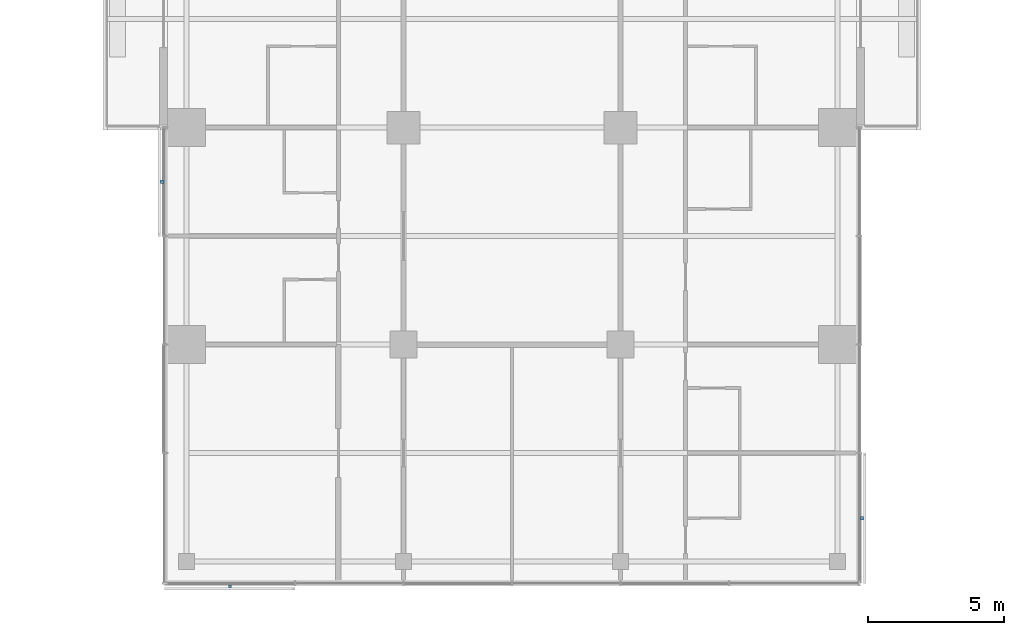
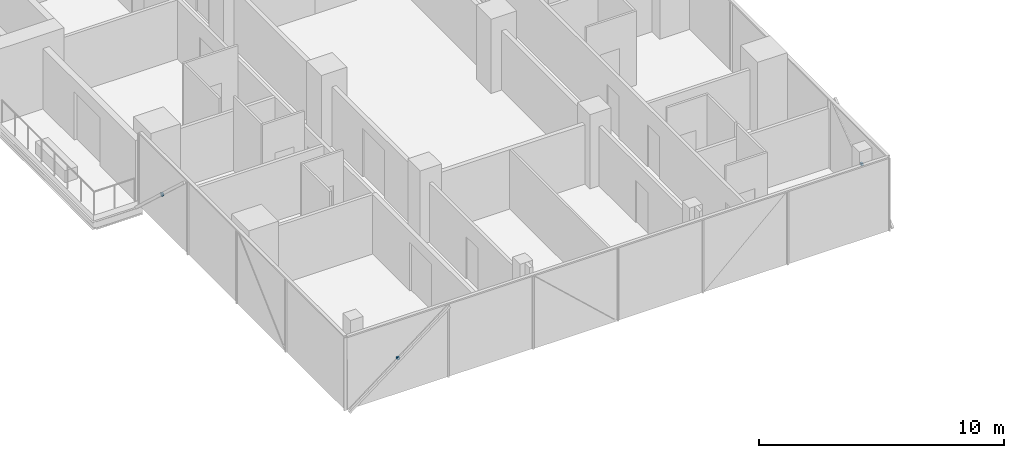
# One storey, part 23 of 27: 3 discrete accessories.
"""IFC4 building model written with IfcOpenShell, lengths in metres."""

from ifc_helpers import new_model, si_unit, direction, frame, origin, origin_2d, place, context, subcontext, project, spatial, rectangle, extrude, material, type_object, element, save


model = new_model("IFC4")

# Units and contexts
model_context = context("Model", 3, precision=1e-05, world=origin(), true_north=direction((0.0, 1.0)))
body_context = subcontext(model_context, "Body", "Model", "MODEL_VIEW")
ifc_project = project(units=[si_unit("LENGTHUNIT", "METRE"), si_unit("AREAUNIT", "SQUARE_METRE"), si_unit("VOLUMEUNIT", "CUBIC_METRE"), si_unit("PLANEANGLEUNIT", "RADIAN"), si_unit("MASSUNIT", "GRAM", prefix="KILO")], contexts=[model_context])

# Site, building, storey
site_placement = place(None, origin())
site = spatial("IfcSite", under=ifc_project, at=site_placement, CompositionType="ELEMENT")
building_placement = place(site_placement, origin())
building = spatial("IfcBuilding", under=site, at=building_placement, Name="Crosswind Convention Tower", CompositionType="ELEMENT")
storey_placement = place(building_placement, frame((0.0, 0.0, 64.60009765625)))
storey = spatial("IfcBuildingStorey", under=building, at=storey_placement, Name="L10", CompositionType="ELEMENT", Elevation=64.60009765625)

# Discrete accessories
ifc_material = material(Name="Stainless steel", Category="steel")
discrete_accessory_type = type_object("IfcDiscreteAccessoryType", Name="BAGUETTE BRACKET BK2", PredefinedType="BRACKET", material=ifc_material)
for number, where, z_axis, x_axis, name in (
    (1, (112.092041015625, 78.0, 1.477294921875), (0.0, 0.0, 1.0), (0.0, -1.0, 0.0), "BK2 baguette bracket"),
    (2, (114.60009765625, 63.092041015625, 1.477294921875), (0.0, 0.0, 1.0), (1.0, 0.0, 0.0), "BK2 baguette bracket"),
    (3, (137.907958984375, 65.60009765625, 1.477294921875), (0.0, 0.0, 1.0), (0.0, 1.0, 0.0), "BK2 baguette bracket"),
):
    element("IfcDiscreteAccessory", number, at=place(storey_placement, frame(where, z_axis=z_axis, x_axis=x_axis)), inside=storey, type_object=discrete_accessory_type, Name=name, PredefinedType="BRACKET", context=body_context, shape_type="SweptSolid", body=[
        extrude(rectangle(XDim=0.1201171875, YDim=0.10009765625, at=origin_2d()), origin(), (0.0, 0.0, 1.0), 0.1201171875),
    ])

save(model, "model.ifc")
